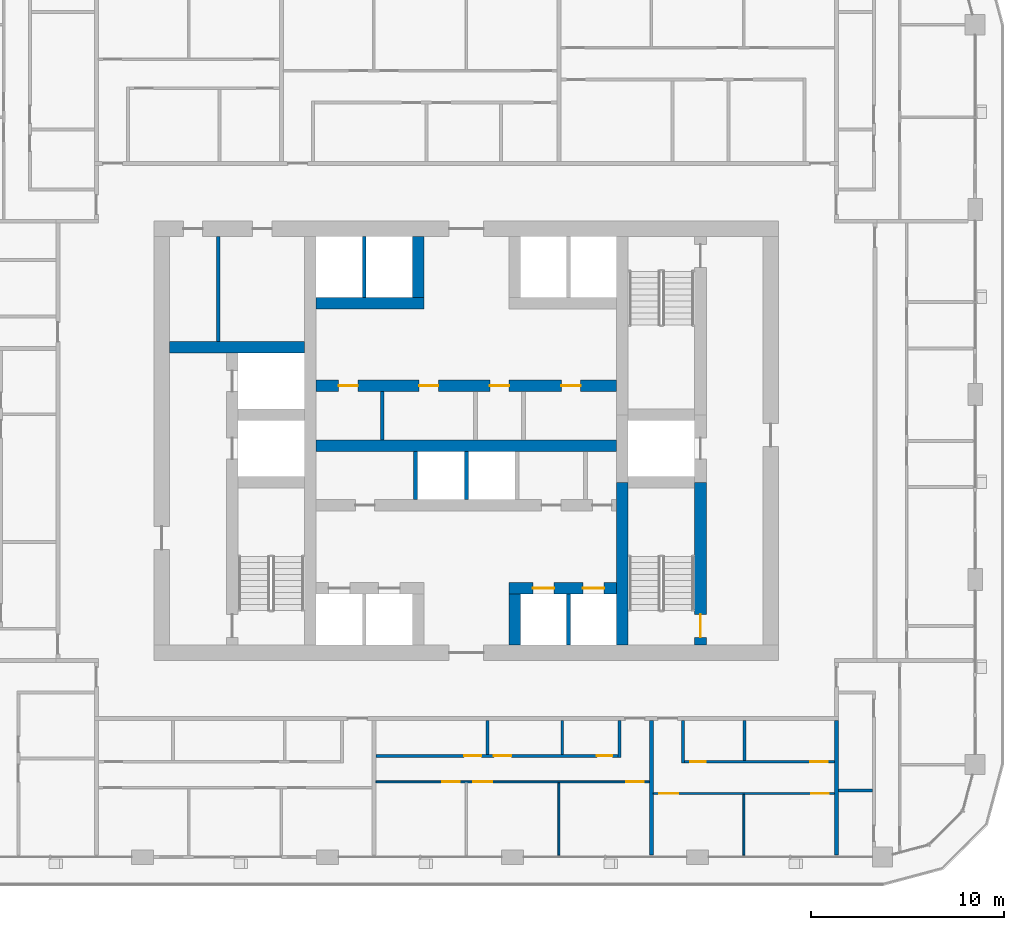
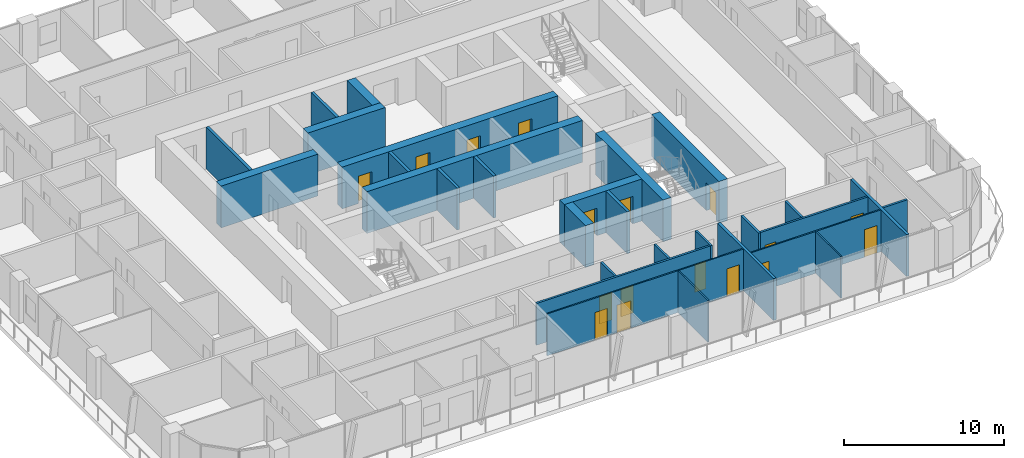
# One storey, part 11 of 22: 29 walls, 17 doors, 17 openings.
"""IFC4 building model written with IfcOpenShell, lengths in metres."""

import ifcopenshell
import ifcopenshell.guid

model = None  # the IFC model being written
_history = None  # IfcOwnerHistory: only IFC2X3 demands one
_inside = {}  # id of a spatial element -> (the spatial element, [elements in it])
_under = {}  # id of a project, library or spatial element -> (it, [spatial elements below it])
_declared = {}  # id of a project -> (the project, [libraries it declares])
_typed = {}  # id of a type object -> (the type object, [elements of that type])
_made_of = {}  # id of a material, layer set ... -> (it, [elements and type objects made of it])


def new_model(schema):
    """Start an empty IFC model of exactly this schema.

    Asked for "IFC4X3", IfcOpenShell would pick the latest addendum, in which some entities
    have other attributes; the version numbers below select the first issue.
    IFC2X3 requires an IfcOwnerHistory on every rooted entity: one is made here for all.
    """
    global model, _history
    if schema == "IFC4X3":
        model = ifcopenshell.file(schema_version=(4, 3, 0, 0))
    else:
        model = ifcopenshell.file(schema=schema)
    _inside.clear()
    _under.clear()
    _declared.clear()
    _typed.clear()
    _made_of.clear()
    _history = None
    if model.schema == "IFC2X3":
        org = make("IfcOrganization", Name="unknown")
        user = make(
            "IfcPersonAndOrganization",
            ThePerson=make("IfcPerson", FamilyName="unknown"),
            TheOrganization=org,
        )
        app = make(
            "IfcApplication",
            ApplicationDeveloper=org,
            Version="unknown",
            ApplicationFullName="unknown",
            ApplicationIdentifier="unknown",
        )
        _history = make(
            "IfcOwnerHistory",
            OwningUser=user,
            OwningApplication=app,
            ChangeAction="ADDED",
            CreationDate=0,
        )
    return model


def make(cls, **values):
    """One entity of the class cls with the attributes given. An attribute that is None is left unset."""
    return model.create_entity(
        cls, **{name: value for name, value in values.items() if value is not None}
    )


def rooted(cls, **values):
    """An entity with a GlobalId (a new one), such as an element, a storey or a relation."""
    return make(cls, GlobalId=ifcopenshell.guid.new(), OwnerHistory=_history, **values)


def si_unit(unit_type, name, prefix=None):
    """IfcSIUnit, for example si_unit("LENGTHUNIT", "METRE", prefix="MILLI")."""
    return make("IfcSIUnit", UnitType=unit_type, Prefix=prefix, Name=name)


def assignment(units):
    """IfcUnitAssignment: the units of a project."""
    return None if units is None else make("IfcUnitAssignment", Units=units)


def point(xyz):
    """IfcCartesianPoint."""
    return None if xyz is None else make("IfcCartesianPoint", Coordinates=xyz)


def direction(xyz):
    """IfcDirection."""
    return None if xyz is None else make("IfcDirection", DirectionRatios=xyz)


def frame(location, z_axis=None, x_axis=None):
    """IfcAxis2Placement3D, a coordinate frame: its origin and axes. An axis left out is left unset."""
    return make(
        "IfcAxis2Placement3D",
        Location=point(location),
        Axis=direction(z_axis),
        RefDirection=direction(x_axis),
    )


def frame_2d(location, x_axis=None):
    """IfcAxis2Placement2D, a coordinate frame in the plane: its origin and x axis."""
    return make(
        "IfcAxis2Placement2D", Location=point(location), RefDirection=direction(x_axis)
    )


def origin():
    """The frame at (0, 0, 0) with its axes left unset."""
    return frame((0.0, 0.0, 0.0))


def place(relative_to, where):
    """IfcLocalPlacement: puts the frame where relative to a parent placement (None: the world)."""
    return make(
        "IfcLocalPlacement", PlacementRelTo=relative_to, RelativePlacement=where
    )


def context(
    kind, dimensions, precision=None, world=None, true_north=None, identifier=None
):
    """IfcGeometricRepresentationContext, for example the 3D "Model" context."""
    return make(
        "IfcGeometricRepresentationContext",
        ContextIdentifier=identifier,
        ContextType=kind,
        CoordinateSpaceDimension=dimensions,
        Precision=precision,
        WorldCoordinateSystem=world,
        TrueNorth=true_north,
    )


def subcontext(parent, identifier, kind, view, scale=None):
    """IfcGeometricRepresentationSubContext, for example "Body" below "Model"."""
    return make(
        "IfcGeometricRepresentationSubContext",
        ContextIdentifier=identifier,
        ContextType=kind,
        ParentContext=parent,
        TargetScale=scale,
        TargetView=view,
    )


def project(units=None, contexts=None):
    """IfcProject with its units and contexts."""
    return rooted(
        "IfcProject",
        Name="project",
        RepresentationContexts=contexts,
        UnitsInContext=assignment(units),
    )


def spatial(cls, under=None, at=None, **own):
    """A site, building, storey or space (cls), placed at a placement, below another one or the project."""
    s = rooted(cls, ObjectPlacement=at, **own)
    if under is not None:
        _under.setdefault(under.id(), (under, []))[1].append(s)
    return s


def profile(cls, at=None, kind="AREA", **sizes):
    """A parametric profile (cls). Its sizes go by their IFC names, for example OverallWidth=200.0."""
    return make(cls, ProfileType=kind, Position=at, **sizes)


def rectangle(**sizes):
    """IfcRectangleProfileDef."""
    return profile("IfcRectangleProfileDef", **sizes)


def extrude(swept, where, along, depth):
    """IfcExtrudedAreaSolid: the profile swept, set in the frame where, extruded along a direction by depth."""
    return make(
        "IfcExtrudedAreaSolid",
        SweptArea=swept,
        Position=where,
        ExtrudedDirection=direction(along),
        Depth=depth,
    )


def shape(context_of_items, identifier, shape_type, items):
    """IfcShapeRepresentation: the items that make up one representation, for example the "Body"."""
    return make(
        "IfcShapeRepresentation",
        ContextOfItems=context_of_items,
        RepresentationIdentifier=identifier,
        RepresentationType=shape_type,
        Items=items,
    )


def material(Name=None, Category=None):
    """IfcMaterial."""
    return make("IfcMaterial", Name=Name, Category=Category)


def layer(
    of_material, thickness, ventilated=None, Name=None, Category=None, Priority=None
):
    """IfcMaterialLayer: one layer of a wall or slab, of a material (None: an air gap)."""
    return make(
        "IfcMaterialLayer",
        Material=of_material,
        LayerThickness=thickness,
        IsVentilated=ventilated,
        Name=Name,
        Category=Category,
        Priority=Priority,
    )


def layer_set(layers, Name=None):
    """IfcMaterialLayerSet."""
    return make("IfcMaterialLayerSet", MaterialLayers=layers, LayerSetName=Name)


def made_of(thing, what):
    """Note that an element or type object is made of a material, layer set ...; save() writes the relation."""
    if what is not None:
        _made_of.setdefault(what.id(), (what, []))[1].append(thing)
    return thing


def type_object(cls, material=None, **own):
    """A type object (cls), such as IfcWallType, which elements share."""
    return made_of(rooted(cls, **own), material)


def element(
    cls,
    number,
    at=None,
    inside=None,
    cuts=None,
    type_object=None,
    material=None,
    context=None,
    identifier="Body",
    shape_type=None,
    held_by="IfcProductDefinitionShape",
    body=None,
    shapes=None,
    **own,
):
    """One element of the class cls, such as IfcWall. Its Tag is "e" and its number.

    at: its placement. inside: the storey or other place that contains it. cuts: it is an
    opening in that element (IfcRelVoidsElement). A single representation is given by context,
    identifier, shape_type and body (its items); several are given by shapes. held_by: the class
    of the entity that holds the representations. save() writes the other relations.
    """
    e = rooted(cls, Tag="e%d" % number, ObjectPlacement=at, **own)
    if body is not None:
        shapes = [shape(context, identifier, shape_type, body)]
    if shapes is not None:
        e.Representation = make(held_by, Representations=shapes)
    if inside is not None:
        _inside.setdefault(inside.id(), (inside, []))[1].append(e)
    if cuts is not None:
        rooted(
            "IfcRelVoidsElement", RelatingBuildingElement=cuts, RelatedOpeningElement=e
        )
    if type_object is not None:
        _typed.setdefault(type_object.id(), (type_object, []))[1].append(e)
    return made_of(e, material)


def fill(opening, filler):
    """IfcRelFillsElement: the door or window that sits in an opening."""
    return rooted(
        "IfcRelFillsElement",
        RelatingOpeningElement=opening,
        RelatedBuildingElement=filler,
    )


def aggregate(whole, parts):
    """IfcRelAggregates: a whole, such as a stair, and the parts it consists of."""
    return rooted("IfcRelAggregates", RelatingObject=whole, RelatedObjects=parts)


def save(model, path):
    """Write the relations noted so far, then the file.

    IfcRelAggregates (storeys below a building ...), IfcRelContainedInSpatialStructure (elements
    in a storey), IfcRelDefinesByType, IfcRelAssociatesMaterial and IfcRelDeclares: one each for
    every whole, place, type object, material and project.
    """
    for whole, parts in _under.values():
        aggregate(whole, parts)
    for where, things in _inside.values():
        rooted(
            "IfcRelContainedInSpatialStructure",
            RelatedElements=things,
            RelatingStructure=where,
        )
    for kind, things in _typed.values():
        rooted("IfcRelDefinesByType", RelatedObjects=things, RelatingType=kind)
    for what, things in _made_of.values():
        rooted("IfcRelAssociatesMaterial", RelatedObjects=things, RelatingMaterial=what)
    for by, libraries in _declared.values():
        rooted("IfcRelDeclares", RelatingContext=by, RelatedDefinitions=libraries)
    model.write(path)


model = new_model("IFC4")

# Units and contexts
model_context = context("Model", 3, precision=1e-05, world=origin(), true_north=direction((0.0, 1.0)))
body_context = subcontext(model_context, "Body", "Model", "MODEL_VIEW")
ifc_project = project(units=[si_unit("LENGTHUNIT", "METRE"), si_unit("AREAUNIT", "SQUARE_METRE"), si_unit("VOLUMEUNIT", "CUBIC_METRE"), si_unit("PLANEANGLEUNIT", "RADIAN"), si_unit("MASSUNIT", "GRAM", prefix="KILO")], contexts=[model_context])

# Site, building, storey
site_placement = place(None, origin())
site = spatial("IfcSite", under=ifc_project, at=site_placement, CompositionType="ELEMENT")
building_placement = place(site_placement, origin())
building = spatial("IfcBuilding", under=site, at=building_placement, Name="Madar Terraces", CompositionType="ELEMENT")
storey_placement = place(building_placement, frame((0.0, 0.0, 136.60009765625)))
storey = spatial("IfcBuildingStorey", under=building, at=storey_placement, Name="L35", CompositionType="ELEMENT", Elevation=136.60009765625)

# Wall
ifc_material_1 = material(Name="Concrete C70/85", Category="concrete")
ifc_layer_1 = layer(ifc_material_1, 0.60009765625)
ifc_layer_set_1 = layer_set([ifc_layer_1], Name="Concrete C70/85 (CIW3 RC wall 600)")
wall_type_1 = type_object("IfcWallType", Name="CIW3 RC wall 600", PredefinedType="SHEAR", material=ifc_layer_set_1)
wall_1_placement = place(storey_placement, frame((39.300048828125, 15.800048828125, 0.0), z_axis=(0.0, 0.0, 1.0), x_axis=(0.0, 1.0, 0.0)))
element("IfcWall", 1, at=wall_1_placement, inside=storey, type_object=wall_type_1, Name="CORE SHAFT WALL", PredefinedType="SHEAR", context=body_context, shape_type="SweptSolid", body=[
    extrude(rectangle(XDim=8.449951171875, YDim=0.60009765625, at=frame_2d((4.22509765625, 0.0))), origin(), (0.0, 0.0, 1.0), 3.199951171875),
])

# Wall, opening, door
wall_2_placement = place(storey_placement, frame((43.35009765625, 15.800048828125, 0.0), z_axis=(0.0, 0.0, 1.0), x_axis=(0.0, 1.0, 0.0)))
wall_2 = element("IfcWall", 2, at=wall_2_placement, inside=storey, type_object=wall_type_1, Name="CORE SHAFT WALL", PredefinedType="SHEAR", context=body_context, shape_type="SweptSolid", body=[
    extrude(rectangle(XDim=8.449951171875, YDim=0.60009765625, at=frame_2d((4.22509765625, 0.0))), origin(), (0.0, 0.0, 1.0), 3.199951171875),
])
opening_1_placement = place(wall_2_placement, frame((0.39990234375, 0.0, 0.0)))
opening_1 = element("IfcOpeningElement", 3, at=opening_1_placement, cuts=wall_2, Name="Opening SD1", PredefinedType="OPENING", context=body_context, shape_type="SweptSolid", body=[
    extrude(rectangle(XDim=1.199951171875, YDim=2.10009765625, at=frame_2d((0.60009765625, 1.050048828125))), frame((0.0, 0.31005859375, 0.0), z_axis=(0.0, -1.0, 0.0), x_axis=(1.0, 0.0, 0.0)), (0.0, 0.0, 1.0), 0.6201171875),
])
ifc_material_2 = material(Name="Steel door leaf", Category="steel")
door_type_1 = type_object("IfcDoorType", Name="Stair door 1200 x 2100", OperationType="NOTDEFINED", PredefinedType="DOOR", material=ifc_material_2)
door_1_placement = place(opening_1_placement, origin())
door_1 = element("IfcDoor", 4, at=door_1_placement, inside=storey, type_object=door_type_1, Name="STAIR DOOR", OperationType="SINGLE_SWING_RIGHT", OverallHeight=2.10009765625, OverallWidth=1.199951171875, PredefinedType="DOOR", context=body_context, shape_type="SweptSolid", body=[
    extrude(rectangle(XDim=1.199951171875, YDim=2.10009765625, at=frame_2d((0.60009765625, 1.050048828125))), frame((0.0, 0.02490234375, 0.0), z_axis=(0.0, -1.0, 0.0), x_axis=(1.0, 0.0, 0.0)), (0.0, 0.0, 1.0), 0.050048828125),
])
fill(opening_1, door_1)

# Wall
wall_3_placement = place(storey_placement, frame((15.800048828125, 31.25, 0.0), z_axis=(0.0, 0.0, 1.0), x_axis=(1.0, 0.0, 0.0)))
element("IfcWall", 5, at=wall_3_placement, inside=storey, type_object=wall_type_1, Name="CORE SHAFT WALL", PredefinedType="SHEAR", context=body_context, shape_type="SweptSolid", body=[
    extrude(rectangle(XDim=7.0, YDim=0.60009765625, at=frame_2d((3.5, 0.0))), origin(), (0.0, 0.0, 1.0), 3.199951171875),
])

# Wall, openings, doors
wall_4_placement = place(storey_placement, frame((33.39990234375, 18.75, 0.0), z_axis=(0.0, 0.0, 1.0), x_axis=(1.0, 0.0, 0.0)))
wall_4 = element("IfcWall", 6, at=wall_4_placement, inside=storey, type_object=wall_type_1, Name="CORE SHAFT WALL", PredefinedType="SHEAR", context=body_context, shape_type="SweptSolid", body=[
    extrude(rectangle(XDim=5.60009765625, YDim=0.60009765625, at=frame_2d((2.800048828125, 0.0))), origin(), (0.0, 0.0, 1.0), 3.199951171875),
])
opening_2_placement = place(wall_4_placement, frame((1.25, 0.0, 0.0)))
opening_2 = element("IfcOpeningElement", 7, at=opening_2_placement, cuts=wall_4, Name="Opening LD", PredefinedType="OPENING", context=body_context, shape_type="SweptSolid", body=[
    extrude(rectangle(XDim=1.10009765625, YDim=2.10009765625, at=frame_2d((0.550048828125, 1.050048828125))), frame((0.0, 0.31005859375, 0.0), z_axis=(0.0, -1.0, 0.0), x_axis=(1.0, 0.0, 0.0)), (0.0, 0.0, 1.0), 0.6201171875),
])
opening_3_placement = place(wall_4_placement, frame((3.85009765625, 0.0, 0.0)))
opening_3 = element("IfcOpeningElement", 8, at=opening_3_placement, cuts=wall_4, Name="Opening LD", PredefinedType="OPENING", context=body_context, shape_type="SweptSolid", body=[
    extrude(rectangle(XDim=1.10009765625, YDim=2.10009765625, at=frame_2d((0.550048828125, 1.050048828125))), frame((0.0, 0.31005859375, 0.0), z_axis=(0.0, -1.0, 0.0), x_axis=(1.0, 0.0, 0.0)), (0.0, 0.0, 1.0), 0.6201171875),
])
ifc_material_3 = material(Name="Stainless steel panel", Category="steel")
door_type_2 = type_object("IfcDoorType", Name="Lift landing door 1100 x 2100", OperationType="DOUBLE_DOOR_SLIDING", PredefinedType="DOOR", material=ifc_material_3)
door_2_placement = place(opening_2_placement, origin())
door_2 = element("IfcDoor", 9, at=door_2_placement, inside=storey, type_object=door_type_2, Name="LIFT LANDING DOOR", OperationType="DOUBLE_DOOR_SLIDING", OverallHeight=2.10009765625, OverallWidth=1.10009765625, PredefinedType="DOOR", context=body_context, shape_type="SweptSolid", body=[
    extrude(rectangle(XDim=1.10009765625, YDim=2.10009765625, at=frame_2d((0.550048828125, 1.050048828125))), frame((0.0, 0.02490234375, 0.0), z_axis=(0.0, -1.0, 0.0), x_axis=(1.0, 0.0, 0.0)), (0.0, 0.0, 1.0), 0.050048828125),
])
fill(opening_2, door_2)
door_3_placement = place(opening_3_placement, origin())
door_3 = element("IfcDoor", 10, at=door_3_placement, inside=storey, type_object=door_type_2, Name="LIFT LANDING DOOR", OperationType="DOUBLE_DOOR_SLIDING", OverallHeight=2.10009765625, OverallWidth=1.10009765625, PredefinedType="DOOR", context=body_context, shape_type="SweptSolid", body=[
    extrude(rectangle(XDim=1.10009765625, YDim=2.10009765625, at=frame_2d((0.550048828125, 1.050048828125))), frame((0.0, 0.02490234375, 0.0), z_axis=(0.0, -1.0, 0.0), x_axis=(1.0, 0.0, 0.0)), (0.0, 0.0, 1.0), 0.050048828125),
])
fill(opening_3, door_3)

# Wall
wall_5_placement = place(storey_placement, frame((23.39990234375, 26.14990234375, 0.0), z_axis=(0.0, 0.0, 1.0), x_axis=(1.0, 0.0, 0.0)))
element("IfcWall", 11, at=wall_5_placement, inside=storey, type_object=wall_type_1, Name="CORE SHAFT WALL", PredefinedType="SHEAR", context=body_context, shape_type="SweptSolid", body=[
    extrude(rectangle(XDim=15.60009765625, YDim=0.60009765625, at=frame_2d((7.800048828125, 0.0))), origin(), (0.0, 0.0, 1.0), 3.199951171875),
])

# Wall, openings, doors
wall_6_placement = place(storey_placement, frame((23.39990234375, 29.25, 0.0), z_axis=(0.0, 0.0, 1.0), x_axis=(1.0, 0.0, 0.0)))
wall_6 = element("IfcWall", 12, at=wall_6_placement, inside=storey, type_object=wall_type_1, Name="CORE SHAFT WALL", PredefinedType="SHEAR", context=body_context, shape_type="SweptSolid", body=[
    extrude(rectangle(XDim=15.60009765625, YDim=0.60009765625, at=frame_2d((7.800048828125, 0.0))), origin(), (0.0, 0.0, 1.0), 3.199951171875),
])
opening_4_placement = place(wall_6_placement, frame((1.166015625, 0.0, 0.0)))
opening_4 = element("IfcOpeningElement", 13, at=opening_4_placement, cuts=wall_6, Name="Opening KD2", PredefinedType="OPENING", context=body_context, shape_type="SweptSolid", body=[
    extrude(rectangle(XDim=1.0, YDim=2.10009765625, at=frame_2d((0.5, 1.050048828125))), frame((0.0, 0.31005859375, 0.0), z_axis=(0.0, -1.0, 0.0), x_axis=(1.0, 0.0, 0.0)), (0.0, 0.0, 1.0), 0.6201171875),
])
opening_5_placement = place(wall_6_placement, frame((5.35009765625, 0.0, 0.0)))
opening_5 = element("IfcOpeningElement", 14, at=opening_5_placement, cuts=wall_6, Name="Opening KD2", PredefinedType="OPENING", context=body_context, shape_type="SweptSolid", body=[
    extrude(rectangle(XDim=1.0, YDim=2.10009765625, at=frame_2d((0.5, 1.050048828125))), frame((0.0, 0.31005859375, 0.0), z_axis=(0.0, -1.0, 0.0), x_axis=(1.0, 0.0, 0.0)), (0.0, 0.0, 1.0), 0.6201171875),
])
opening_6_placement = place(wall_6_placement, frame((9.01611328125, 0.0, 0.0)))
opening_6 = element("IfcOpeningElement", 15, at=opening_6_placement, cuts=wall_6, Name="Opening KD2", PredefinedType="OPENING", context=body_context, shape_type="SweptSolid", body=[
    extrude(rectangle(XDim=1.0, YDim=2.10009765625, at=frame_2d((0.5, 1.050048828125))), frame((0.0, 0.31005859375, 0.0), z_axis=(0.0, -1.0, 0.0), x_axis=(1.0, 0.0, 0.0)), (0.0, 0.0, 1.0), 0.6201171875),
])
opening_7_placement = place(wall_6_placement, frame((12.73193359375, 0.0, 0.0)))
opening_7 = element("IfcOpeningElement", 16, at=opening_7_placement, cuts=wall_6, Name="Opening KD2", PredefinedType="OPENING", context=body_context, shape_type="SweptSolid", body=[
    extrude(rectangle(XDim=1.0, YDim=2.10009765625, at=frame_2d((0.5, 1.050048828125))), frame((0.0, 0.31005859375, 0.0), z_axis=(0.0, -1.0, 0.0), x_axis=(1.0, 0.0, 0.0)), (0.0, 0.0, 1.0), 0.6201171875),
])
ifc_material_4 = material(Name="Steel door leaf", Category="steel")
door_type_3 = type_object("IfcDoorType", Name="Service room door 1000 x 2100", OperationType="NOTDEFINED", PredefinedType="DOOR", material=ifc_material_4)
door_4_placement = place(opening_4_placement, origin())
door_4 = element("IfcDoor", 17, at=door_4_placement, inside=storey, type_object=door_type_3, Name="SERVICE ROOM DOOR", OperationType="SINGLE_SWING_LEFT", OverallHeight=2.10009765625, OverallWidth=1.0, PredefinedType="DOOR", context=body_context, shape_type="SweptSolid", body=[
    extrude(rectangle(XDim=1.0, YDim=2.10009765625, at=frame_2d((0.5, 1.050048828125))), frame((0.0, 0.02490234375, 0.0), z_axis=(0.0, -1.0, 0.0), x_axis=(1.0, 0.0, 0.0)), (0.0, 0.0, 1.0), 0.050048828125),
])
fill(opening_4, door_4)
door_5_placement = place(opening_5_placement, origin())
door_5 = element("IfcDoor", 18, at=door_5_placement, inside=storey, type_object=door_type_3, Name="SERVICE ROOM DOOR", OperationType="SINGLE_SWING_RIGHT", OverallHeight=2.10009765625, OverallWidth=1.0, PredefinedType="DOOR", context=body_context, shape_type="SweptSolid", body=[
    extrude(rectangle(XDim=1.0, YDim=2.10009765625, at=frame_2d((0.5, 1.050048828125))), frame((0.0, 0.02490234375, 0.0), z_axis=(0.0, -1.0, 0.0), x_axis=(1.0, 0.0, 0.0)), (0.0, 0.0, 1.0), 0.050048828125),
])
fill(opening_5, door_5)
door_6_placement = place(opening_6_placement, origin())
door_6 = element("IfcDoor", 19, at=door_6_placement, inside=storey, type_object=door_type_3, Name="SERVICE ROOM DOOR", OperationType="SINGLE_SWING_LEFT", OverallHeight=2.10009765625, OverallWidth=1.0, PredefinedType="DOOR", context=body_context, shape_type="SweptSolid", body=[
    extrude(rectangle(XDim=1.0, YDim=2.10009765625, at=frame_2d((0.5, 1.050048828125))), frame((0.0, 0.02490234375, 0.0), z_axis=(0.0, -1.0, 0.0), x_axis=(1.0, 0.0, 0.0)), (0.0, 0.0, 1.0), 0.050048828125),
])
fill(opening_6, door_6)
door_7_placement = place(opening_7_placement, origin())
door_7 = element("IfcDoor", 20, at=door_7_placement, inside=storey, type_object=door_type_3, Name="SERVICE ROOM DOOR", OperationType="SINGLE_SWING_RIGHT", OverallHeight=2.10009765625, OverallWidth=1.0, PredefinedType="DOOR", context=body_context, shape_type="SweptSolid", body=[
    extrude(rectangle(XDim=1.0, YDim=2.10009765625, at=frame_2d((0.5, 1.050048828125))), frame((0.0, 0.02490234375, 0.0), z_axis=(0.0, -1.0, 0.0), x_axis=(1.0, 0.0, 0.0)), (0.0, 0.0, 1.0), 0.050048828125),
])
fill(opening_7, door_7)

# Walls
wall_7_placement = place(storey_placement, frame((23.39990234375, 33.550048828125, 0.0), z_axis=(0.0, 0.0, 1.0), x_axis=(1.0, 0.0, 0.0)))
element("IfcWall", 21, at=wall_7_placement, inside=storey, type_object=wall_type_1, Name="CORE SHAFT WALL", PredefinedType="SHEAR", context=body_context, shape_type="SweptSolid", body=[
    extrude(rectangle(XDim=5.60009765625, YDim=0.60009765625, at=frame_2d((2.800048828125, 0.0))), origin(), (0.0, 0.0, 1.0), 3.199951171875),
])
wall_8_placement = place(storey_placement, frame((33.699951171875, 15.800048828125, 0.0), z_axis=(0.0, 0.0, 1.0), x_axis=(0.0, 1.0, 0.0)))
element("IfcWall", 22, at=wall_8_placement, inside=storey, type_object=wall_type_1, Name="CORE SHAFT WALL", PredefinedType="SHEAR", context=body_context, shape_type="SweptSolid", body=[
    extrude(rectangle(XDim=2.64990234375, YDim=0.60009765625, at=frame_2d((1.324951171875, 0.0))), origin(), (0.0, 0.0, 1.0), 3.199951171875),
])
wall_9_placement = place(storey_placement, frame((28.699951171875, 33.85009765625, 0.0), z_axis=(0.0, 0.0, 1.0), x_axis=(0.0, 1.0, 0.0)))
element("IfcWall", 23, at=wall_9_placement, inside=storey, type_object=wall_type_1, Name="CORE SHAFT WALL", PredefinedType="SHEAR", context=body_context, shape_type="SweptSolid", body=[
    extrude(rectangle(XDim=3.14990234375, YDim=0.60009765625, at=frame_2d((1.574951171875, 0.0))), origin(), (0.0, 0.0, 1.0), 3.199951171875),
])
ifc_material_5 = material(Name="Masonry blockwork", Category="masonry")
ifc_layer_2 = layer(ifc_material_5, 0.199951171875)
ifc_layer_set_2 = layer_set([ifc_layer_2], Name="Core partition 200 blockwork")
wall_type_2 = type_object("IfcWallType", Name="Core partition 200 blockwork", PredefinedType="PARTITIONING", material=ifc_layer_set_2)
wall_10_placement = place(storey_placement, frame((18.320068359375, 31.550048828125, 0.0), z_axis=(0.0, 0.0, 1.0), x_axis=(0.0, 1.0, 0.0)))
element("IfcWall", 24, at=wall_10_placement, inside=storey, type_object=wall_type_2, Name="SERVICE ROOM PARTITION", PredefinedType="PARTITIONING", context=body_context, shape_type="SweptSolid", body=[
    extrude(rectangle(XDim=5.449951171875, YDim=0.199951171875, at=frame_2d((2.72509765625, 0.0))), origin(), (0.0, 0.0, 1.0), 3.199951171875),
])
wall_11_placement = place(storey_placement, frame((26.83203125, 26.449951171875, 0.0), z_axis=(0.0, 0.0, 1.0), x_axis=(0.0, 1.0, 0.0)))
element("IfcWall", 25, at=wall_11_placement, inside=storey, type_object=wall_type_2, Name="SERVICE ROOM PARTITION", PredefinedType="PARTITIONING", context=body_context, shape_type="SweptSolid", body=[
    extrude(rectangle(XDim=2.5, YDim=0.199951171875, at=frame_2d((1.25, 0.0))), origin(), (0.0, 0.0, 1.0), 3.199951171875),
])
ifc_material_6 = material(Name="Concrete C40/50", Category="concrete")
ifc_layer_3 = layer(ifc_material_6, 0.199951171875)
ifc_layer_set_3 = layer_set([ifc_layer_3], Name="Core shaft dividing wall 200 C40/50")
wall_type_3 = type_object("IfcWallType", Name="Core shaft dividing wall 200 C40/50", PredefinedType="SOLIDWALL", material=ifc_layer_set_3)
for number, where, z_axis, x_axis, name in (
    (26, (28.566650390625, 23.35009765625, 0.0), (0.0, 0.0, 1.0), (0.0, 1.0, 0.0), "SHAFT DIVIDING WALL"),
    (27, (31.199951171875, 23.35009765625, 0.0), (0.0, 0.0, 1.0), (0.0, 1.0, 0.0), "SHAFT DIVIDING WALL"),
):
    element("IfcWall", number, at=place(storey_placement, frame(where, z_axis=z_axis, x_axis=x_axis)), inside=storey, type_object=wall_type_3, Name=name, PredefinedType="SOLIDWALL", context=body_context, shape_type="SweptSolid", body=[
        extrude(rectangle(XDim=2.5, YDim=0.199951171875, at=frame_2d((1.25, 0.0))), origin(), (0.0, 0.0, 1.0), 3.199951171875),
    ])
wall_12_placement = place(storey_placement, frame((25.89990234375, 33.85009765625, 0.0), z_axis=(0.0, 0.0, 1.0), x_axis=(0.0, 1.0, 0.0)))
element("IfcWall", 28, at=wall_12_placement, inside=storey, type_object=wall_type_3, Name="SHAFT DIVIDING WALL", PredefinedType="SOLIDWALL", context=body_context, shape_type="SweptSolid", body=[
    extrude(rectangle(XDim=3.14990234375, YDim=0.199951171875, at=frame_2d((1.574951171875, 0.0))), origin(), (0.0, 0.0, 1.0), 3.199951171875),
])
wall_13_placement = place(storey_placement, frame((36.5, 15.800048828125, 0.0), z_axis=(0.0, 0.0, 1.0), x_axis=(0.0, 1.0, 0.0)))
element("IfcWall", 29, at=wall_13_placement, inside=storey, type_object=wall_type_3, Name="SHAFT DIVIDING WALL", PredefinedType="SOLIDWALL", context=body_context, shape_type="SweptSolid", body=[
    extrude(rectangle(XDim=2.64990234375, YDim=0.199951171875, at=frame_2d((1.324951171875, 0.0))), origin(), (0.0, 0.0, 1.0), 3.199951171875),
])
ifc_material_7 = material(Name="Gypsum board on steel studs", Category="steel")
ifc_layer_4 = layer(ifc_material_7, 0.10009765625)
ifc_layer_set_4 = layer_set([ifc_layer_4], Name="Flat partition 100")
wall_type_4 = type_object("IfcWallType", Name="Flat partition 100", PredefinedType="PARTITIONING", material=ifc_layer_set_4)
wall_14_placement = place(storey_placement, frame((36.0, 8.64990234375, 0.0), z_axis=(0.0, 0.0, 1.0), x_axis=(0.0, -1.0, 0.0)))
element("IfcWall", 30, at=wall_14_placement, inside=storey, type_object=wall_type_4, Name="Flat partition 100", PredefinedType="PARTITIONING", context=body_context, shape_type="SweptSolid", body=[
    extrude(rectangle(XDim=3.75, YDim=0.10009765625, at=frame_2d((1.875, 0.0))), origin(), (0.0, 0.0, 1.0), 3.199951171875),
])

# Wall, openings, doors
wall_15_placement = place(storey_placement, frame((40.699951171875, 8.699951171875, 0.0), z_axis=(0.0, 0.0, 1.0), x_axis=(-1.0, 0.0, 0.0)))
wall_15 = element("IfcWall", 31, at=wall_15_placement, inside=storey, type_object=wall_type_4, Name="Flat partition 100", PredefinedType="PARTITIONING", context=body_context, shape_type="SweptSolid", body=[
    extrude(rectangle(XDim=14.199951171875, YDim=0.10009765625, at=frame_2d((7.10009765625, 0.0))), origin(), (0.0, 0.0, 1.0), 3.199951171875),
])
opening_8_placement = place(wall_15_placement, frame((0.300048828125, 0.0, 0.0)))
opening_8 = element("IfcOpeningElement", 32, at=opening_8_placement, cuts=wall_15, Name="Opening D2", PredefinedType="OPENING", context=body_context, shape_type="SweptSolid", body=[
    extrude(rectangle(XDim=0.89990234375, YDim=2.10009765625, at=frame_2d((0.449951171875, 1.050048828125))), frame((0.0, 0.06005859375, 0.0), z_axis=(0.0, -1.0, 0.0), x_axis=(1.0, 0.0, 0.0)), (0.0, 0.0, 1.0), 0.1201171875),
])
opening_9_placement = place(wall_15_placement, frame((8.14990234375, 0.0, 0.0)))
opening_9 = element("IfcOpeningElement", 33, at=opening_9_placement, cuts=wall_15, Name="Opening D3", PredefinedType="OPENING", context=body_context, shape_type="SweptSolid", body=[
    extrude(rectangle(XDim=1.0, YDim=2.10009765625, at=frame_2d((0.5, 1.050048828125))), frame((0.0, 0.06005859375, 0.0), z_axis=(0.0, -1.0, 0.0), x_axis=(1.0, 0.0, 0.0)), (0.0, 0.0, 1.0), 0.1201171875),
])
opening_10_placement = place(wall_15_placement, frame((9.85009765625, 0.0, 0.0)))
opening_10 = element("IfcOpeningElement", 34, at=opening_10_placement, cuts=wall_15, Name="Opening D2", PredefinedType="OPENING", context=body_context, shape_type="SweptSolid", body=[
    extrude(rectangle(XDim=0.89990234375, YDim=2.10009765625, at=frame_2d((0.449951171875, 1.050048828125))), frame((0.0, 0.06005859375, 0.0), z_axis=(0.0, -1.0, 0.0), x_axis=(1.0, 0.0, 0.0)), (0.0, 0.0, 1.0), 0.1201171875),
])
ifc_material_8 = material(Name="Timber door leaf", Category="wood")
door_type_4 = type_object("IfcDoorType", Name="Flat living room door 1000", OperationType="NOTDEFINED", PredefinedType="DOOR", material=ifc_material_8)
door_8_placement = place(opening_9_placement, origin())
door_8 = element("IfcDoor", 35, at=door_8_placement, inside=storey, type_object=door_type_4, Name="Flat living room door 1000", OperationType="SINGLE_SWING_RIGHT", OverallHeight=2.10009765625, OverallWidth=1.0, PredefinedType="DOOR", context=body_context, shape_type="SweptSolid", body=[
    extrude(rectangle(XDim=1.0, YDim=2.10009765625, at=frame_2d((0.5, 1.050048828125))), frame((0.0, 0.02490234375, 0.0), z_axis=(0.0, -1.0, 0.0), x_axis=(1.0, 0.0, 0.0)), (0.0, 0.0, 1.0), 0.050048828125),
])
fill(opening_9, door_8)
ifc_material_9 = material(Name="Timber door leaf", Category="wood")
door_type_5 = type_object("IfcDoorType", Name="Flat room door 900", OperationType="NOTDEFINED", PredefinedType="DOOR", material=ifc_material_9)
door_9_placement = place(opening_8_placement, origin())
door_9 = element("IfcDoor", 36, at=door_9_placement, inside=storey, type_object=door_type_5, Name="Flat room door 900", OperationType="SINGLE_SWING_LEFT", OverallHeight=2.10009765625, OverallWidth=0.89990234375, PredefinedType="DOOR", context=body_context, shape_type="SweptSolid", body=[
    extrude(rectangle(XDim=0.89990234375, YDim=2.10009765625, at=frame_2d((0.449951171875, 1.050048828125))), frame((0.0, 0.02490234375, 0.0), z_axis=(0.0, -1.0, 0.0), x_axis=(1.0, 0.0, 0.0)), (0.0, 0.0, 1.0), 0.050048828125),
])
fill(opening_8, door_9)
door_10_placement = place(opening_10_placement, origin())
door_10 = element("IfcDoor", 37, at=door_10_placement, inside=storey, type_object=door_type_5, Name="Flat room door 900", OperationType="SINGLE_SWING_LEFT", OverallHeight=2.10009765625, OverallWidth=0.89990234375, PredefinedType="DOOR", context=body_context, shape_type="SweptSolid", body=[
    extrude(rectangle(XDim=0.89990234375, YDim=2.10009765625, at=frame_2d((0.449951171875, 1.050048828125))), frame((0.0, 0.02490234375, 0.0), z_axis=(0.0, -1.0, 0.0), x_axis=(1.0, 0.0, 0.0)), (0.0, 0.0, 1.0), 0.050048828125),
])
fill(opening_10, door_10)

# Wall
wall_16_placement = place(storey_placement, frame((45.60009765625, 8.050048828125, 0.0), z_axis=(0.0, 0.0, 1.0), x_axis=(0.0, -1.0, 0.0)))
element("IfcWall", 38, at=wall_16_placement, inside=storey, type_object=wall_type_4, Name="Flat partition 100", PredefinedType="PARTITIONING", context=body_context, shape_type="SweptSolid", body=[
    extrude(rectangle(XDim=3.150146484375, YDim=0.10009765625, at=frame_2d((1.5751953125, 0.0))), origin(), (0.0, 0.0, 1.0), 3.199951171875),
])

# Wall, openings, doors
wall_17_placement = place(storey_placement, frame((50.300048828125, 8.10009765625, 0.0), z_axis=(0.0, 0.0, 1.0), x_axis=(-1.0, 0.0, 0.0)))
wall_17 = element("IfcWall", 39, at=wall_17_placement, inside=storey, type_object=wall_type_4, Name="Flat partition 100", PredefinedType="PARTITIONING", context=body_context, shape_type="SweptSolid", body=[
    extrude(rectangle(XDim=9.400146484375, YDim=0.10009765625, at=frame_2d((4.7001953125, 0.0))), origin(), (0.0, 0.0, 1.0), 3.199951171875),
])
opening_11_placement = place(wall_17_placement, frame((8.10009765625, 0.0, 0.0)))
opening_11 = element("IfcOpeningElement", 40, at=opening_11_placement, cuts=wall_17, Name="Opening D3", PredefinedType="OPENING", context=body_context, shape_type="SweptSolid", body=[
    extrude(rectangle(XDim=1.0, YDim=2.10009765625, at=frame_2d((0.5, 1.050048828125))), frame((0.0, 0.06005859375, 0.0), z_axis=(0.0, -1.0, 0.0), x_axis=(1.0, 0.0, 0.0)), (0.0, 0.0, 1.0), 0.1201171875),
])
opening_12_placement = place(wall_17_placement, frame((0.300048828125, 0.0, 0.0)))
opening_12 = element("IfcOpeningElement", 41, at=opening_12_placement, cuts=wall_17, Name="Opening D2", PredefinedType="OPENING", context=body_context, shape_type="SweptSolid", body=[
    extrude(rectangle(XDim=0.89990234375, YDim=2.10009765625, at=frame_2d((0.449951171875, 1.050048828125))), frame((0.0, 0.06005859375, 0.0), z_axis=(0.0, -1.0, 0.0), x_axis=(1.0, 0.0, 0.0)), (0.0, 0.0, 1.0), 0.1201171875),
])
door_11_placement = place(opening_11_placement, origin())
door_11 = element("IfcDoor", 42, at=door_11_placement, inside=storey, type_object=door_type_4, Name="Flat living room door 1000", OperationType="SINGLE_SWING_RIGHT", OverallHeight=2.10009765625, OverallWidth=1.0, PredefinedType="DOOR", context=body_context, shape_type="SweptSolid", body=[
    extrude(rectangle(XDim=1.0, YDim=2.10009765625, at=frame_2d((0.5, 1.050048828125))), frame((0.0, 0.02490234375, 0.0), z_axis=(0.0, -1.0, 0.0), x_axis=(1.0, 0.0, 0.0)), (0.0, 0.0, 1.0), 0.050048828125),
])
fill(opening_11, door_11)
door_12_placement = place(opening_12_placement, origin())
door_12 = element("IfcDoor", 43, at=door_12_placement, inside=storey, type_object=door_type_5, Name="Flat room door 900", OperationType="SINGLE_SWING_LEFT", OverallHeight=2.10009765625, OverallWidth=0.89990234375, PredefinedType="DOOR", context=body_context, shape_type="SweptSolid", body=[
    extrude(rectangle(XDim=0.89990234375, YDim=2.10009765625, at=frame_2d((0.449951171875, 1.050048828125))), frame((0.0, 0.02490234375, 0.0), z_axis=(0.0, -1.0, 0.0), x_axis=(1.0, 0.0, 0.0)), (0.0, 0.0, 1.0), 0.050048828125),
])
fill(opening_12, door_12)

# Walls
ifc_material_10 = material(Name="Lightweight blockwork", Category="masonry")
ifc_layer_5 = layer(ifc_material_10, 0.199951171875)
ifc_layer_set_5 = layer_set([ifc_layer_5], Name="Flat party and entrance wall 200")
wall_type_5 = type_object("IfcWallType", Name="Flat party and entrance wall 200", PredefinedType="PARTITIONING", material=ifc_layer_set_5)
for number, where, z_axis, x_axis, name in (
    (44, (40.800048828125, 11.89990234375, 0.0), (0.0, 0.0, 1.0), (0.0, -1.0, 0.0), "Flat party and entrance wall 200"),
    (45, (50.39990234375, 11.89990234375, 0.0), (0.0, 0.0, 1.0), (0.0, -1.0, 0.0), "Flat party and entrance wall 200"),
):
    element("IfcWall", number, at=place(storey_placement, frame(where, z_axis=z_axis, x_axis=x_axis)), inside=storey, type_object=wall_type_5, Name=name, PredefinedType="PARTITIONING", context=body_context, shape_type="SweptSolid", body=[
        extrude(rectangle(XDim=7.0, YDim=0.199951171875, at=frame_2d((3.5, 0.0))), origin(), (0.0, 0.0, 1.0), 3.199951171875),
    ])
ifc_material_11 = material(Name="Lightweight blockwork", Category="masonry")
ifc_layer_6 = layer(ifc_material_11, 0.14990234375)
ifc_layer_set_6 = layer_set([ifc_layer_6], Name="Flat wet-room partition 150")
wall_type_6 = type_object("IfcWallType", Name="Flat wet-room partition 150", PredefinedType="PARTITIONING", material=ifc_layer_set_6)
for number, where, z_axis, x_axis, name in (
    (46, (36.173095703125, 11.89990234375, 0.0), (0.0, 0.0, 1.0), (0.0, -1.0, 0.0), "Flat wet-room partition 150"),
    (47, (32.303955078125, 11.89990234375, 0.0), (0.0, 0.0, 1.0), (0.0, -1.0, 0.0), "Flat wet-room partition 150"),
):
    element("IfcWall", number, at=place(storey_placement, frame(where, z_axis=z_axis, x_axis=x_axis)), inside=storey, type_object=wall_type_6, Name=name, PredefinedType="PARTITIONING", context=body_context, shape_type="SweptSolid", body=[
        extrude(rectangle(XDim=1.77490234375, YDim=0.14990234375, at=frame_2d((0.887451171875, 0.0))), origin(), (0.0, 0.0, 1.0), 3.199951171875),
    ])
wall_18_placement = place(storey_placement, frame((39.14990234375, 11.89990234375, 0.0), z_axis=(0.0, 0.0, 1.0), x_axis=(0.0, -1.0, 0.0)))
element("IfcWall", 48, at=wall_18_placement, inside=storey, type_object=wall_type_6, Name="Flat wet-room partition 150", PredefinedType="PARTITIONING", context=body_context, shape_type="SweptSolid", body=[
    extrude(rectangle(XDim=1.9248046875, YDim=0.14990234375, at=frame_2d((0.96240234375, 0.0))), origin(), (0.0, 0.0, 1.0), 3.199951171875),
])

# Wall, openings, doors
wall_19_placement = place(storey_placement, frame((26.5, 10.050048828125, 0.0), z_axis=(0.0, 0.0, 1.0), x_axis=(1.0, 0.0, 0.0)))
wall_19 = element("IfcWall", 49, at=wall_19_placement, inside=storey, type_object=wall_type_6, Name="Flat wet-room partition 150", PredefinedType="PARTITIONING", context=body_context, shape_type="SweptSolid", body=[
    extrude(rectangle(XDim=12.574951171875, YDim=0.14990234375, at=frame_2d((6.28759765625, 0.0))), origin(), (0.0, 0.0, 1.0), 3.199951171875),
])
opening_13_placement = place(wall_19_placement, frame((11.47509765625, 0.0, 0.0)))
opening_13 = element("IfcOpeningElement", 50, at=opening_13_placement, cuts=wall_19, Name="Opening D4", PredefinedType="OPENING", context=body_context, shape_type="SweptSolid", body=[
    extrude(rectangle(XDim=0.800048828125, YDim=2.10009765625, at=frame_2d((0.39990234375, 1.050048828125))), frame((0.0, 0.0849609375, 0.0), z_axis=(0.0, -1.0, 0.0), x_axis=(1.0, 0.0, 0.0)), (0.0, 0.0, 1.0), 0.169921875),
])
opening_14_placement = place(wall_19_placement, frame((6.12890625, 0.0, 0.0)))
opening_14 = element("IfcOpeningElement", 51, at=opening_14_placement, cuts=wall_19, Name="Opening D5", PredefinedType="OPENING", context=body_context, shape_type="SweptSolid", body=[
    extrude(rectangle(XDim=0.89990234375, YDim=2.10009765625, at=frame_2d((0.449951171875, 1.050048828125))), frame((0.0, 0.0849609375, 0.0), z_axis=(0.0, -1.0, 0.0), x_axis=(1.0, 0.0, 0.0)), (0.0, 0.0, 1.0), 0.169921875),
])
opening_15_placement = place(wall_19_placement, frame((4.578857421875, 0.0, 0.0)))
opening_15 = element("IfcOpeningElement", 52, at=opening_15_placement, cuts=wall_19, Name="Opening D2", PredefinedType="OPENING", context=body_context, shape_type="SweptSolid", body=[
    extrude(rectangle(XDim=0.89990234375, YDim=2.10009765625, at=frame_2d((0.449951171875, 1.050048828125))), frame((0.0, 0.0849609375, 0.0), z_axis=(0.0, -1.0, 0.0), x_axis=(1.0, 0.0, 0.0)), (0.0, 0.0, 1.0), 0.169921875),
])
ifc_material_12 = material(Name="Timber door leaf", Category="wood")
door_type_6 = type_object("IfcDoorType", Name="Flat accessible bathroom door 900", OperationType="NOTDEFINED", PredefinedType="DOOR", material=ifc_material_12)
door_13_placement = place(opening_14_placement, origin())
door_13 = element("IfcDoor", 53, at=door_13_placement, inside=storey, type_object=door_type_6, Name="Flat accessible bathroom door 900", OperationType="SINGLE_SWING_LEFT", OverallHeight=2.10009765625, OverallWidth=0.89990234375, PredefinedType="DOOR", context=body_context, shape_type="SweptSolid", body=[
    extrude(rectangle(XDim=0.89990234375, YDim=2.10009765625, at=frame_2d((0.449951171875, 1.050048828125))), frame((0.0, 0.02490234375, 0.0), z_axis=(0.0, -1.0, 0.0), x_axis=(1.0, 0.0, 0.0)), (0.0, 0.0, 1.0), 0.050048828125),
])
fill(opening_14, door_13)
ifc_material_13 = material(Name="Timber door leaf", Category="wood")
door_type_7 = type_object("IfcDoorType", Name="Flat bathroom door 800", OperationType="NOTDEFINED", PredefinedType="DOOR", material=ifc_material_13)
door_14_placement = place(opening_13_placement, origin())
door_14 = element("IfcDoor", 54, at=door_14_placement, inside=storey, type_object=door_type_7, Name="Flat bathroom door 800", OperationType="SINGLE_SWING_RIGHT", OverallHeight=2.10009765625, OverallWidth=0.800048828125, PredefinedType="DOOR", context=body_context, shape_type="SweptSolid", body=[
    extrude(rectangle(XDim=0.800048828125, YDim=2.10009765625, at=frame_2d((0.39990234375, 1.050048828125))), frame((0.0, 0.02490234375, 0.0), z_axis=(0.0, -1.0, 0.0), x_axis=(1.0, 0.0, 0.0)), (0.0, 0.0, 1.0), 0.050048828125),
])
fill(opening_13, door_14)
door_15_placement = place(opening_15_placement, origin())
door_15 = element("IfcDoor", 55, at=door_15_placement, inside=storey, type_object=door_type_5, Name="Flat room door 900", OperationType="SINGLE_SWING_RIGHT", OverallHeight=2.10009765625, OverallWidth=0.89990234375, PredefinedType="DOOR", context=body_context, shape_type="SweptSolid", body=[
    extrude(rectangle(XDim=0.89990234375, YDim=2.10009765625, at=frame_2d((0.449951171875, 1.050048828125))), frame((0.0, 0.02490234375, 0.0), z_axis=(0.0, -1.0, 0.0), x_axis=(1.0, 0.0, 0.0)), (0.0, 0.0, 1.0), 0.050048828125),
])
fill(opening_15, door_15)

# Walls
wall_20_placement = place(storey_placement, frame((45.635009765625, 11.89990234375, 0.0), z_axis=(0.0, 0.0, 1.0), x_axis=(0.0, -1.0, 0.0)))
element("IfcWall", 56, at=wall_20_placement, inside=storey, type_object=wall_type_6, Name="Flat wet-room partition 150", PredefinedType="PARTITIONING", context=body_context, shape_type="SweptSolid", body=[
    extrude(rectangle(XDim=2.074951171875, YDim=0.14990234375, at=frame_2d((1.03759765625, 0.0))), origin(), (0.0, 0.0, 1.0), 3.199951171875),
])
wall_21_placement = place(storey_placement, frame((42.449951171875, 11.89990234375, 0.0), z_axis=(0.0, 0.0, 1.0), x_axis=(0.0, -1.0, 0.0)))
element("IfcWall", 57, at=wall_21_placement, inside=storey, type_object=wall_type_6, Name="Flat wet-room partition 150", PredefinedType="PARTITIONING", context=body_context, shape_type="SweptSolid", body=[
    extrude(rectangle(XDim=2.224853515625, YDim=0.14990234375, at=frame_2d((1.1123046875, 0.0))), origin(), (0.0, 0.0, 1.0), 3.199951171875),
])

# Wall, openings, doors
wall_22_placement = place(storey_placement, frame((42.52490234375, 9.75, 0.0), z_axis=(0.0, 0.0, 1.0), x_axis=(1.0, 0.0, 0.0)))
wall_22 = element("IfcWall", 58, at=wall_22_placement, inside=storey, type_object=wall_type_6, Name="Flat wet-room partition 150", PredefinedType="PARTITIONING", context=body_context, shape_type="SweptSolid", body=[
    extrude(rectangle(XDim=7.775146484375, YDim=0.14990234375, at=frame_2d((3.8876953125, 0.0))), origin(), (0.0, 0.0, 1.0), 3.199951171875),
])
opening_16_placement = place(wall_22_placement, frame((0.300048828125, 0.0, 0.0)))
opening_16 = element("IfcOpeningElement", 59, at=opening_16_placement, cuts=wall_22, Name="Opening D4", PredefinedType="OPENING", context=body_context, shape_type="SweptSolid", body=[
    extrude(rectangle(XDim=0.800048828125, YDim=2.10009765625, at=frame_2d((0.39990234375, 1.050048828125))), frame((0.0, 0.0849609375, 0.0), z_axis=(0.0, -1.0, 0.0), x_axis=(1.0, 0.0, 0.0)), (0.0, 0.0, 1.0), 0.169921875),
])
opening_17_placement = place(wall_22_placement, frame((6.52490234375, 0.0, 0.0)))
opening_17 = element("IfcOpeningElement", 60, at=opening_17_placement, cuts=wall_22, Name="Opening D2", PredefinedType="OPENING", context=body_context, shape_type="SweptSolid", body=[
    extrude(rectangle(XDim=0.89990234375, YDim=2.10009765625, at=frame_2d((0.449951171875, 1.050048828125))), frame((0.0, 0.0849609375, 0.0), z_axis=(0.0, -1.0, 0.0), x_axis=(1.0, 0.0, 0.0)), (0.0, 0.0, 1.0), 0.169921875),
])
door_16_placement = place(opening_16_placement, origin())
door_16 = element("IfcDoor", 61, at=door_16_placement, inside=storey, type_object=door_type_7, Name="Flat bathroom door 800", OperationType="SINGLE_SWING_LEFT", OverallHeight=2.10009765625, OverallWidth=0.800048828125, PredefinedType="DOOR", context=body_context, shape_type="SweptSolid", body=[
    extrude(rectangle(XDim=0.800048828125, YDim=2.10009765625, at=frame_2d((0.39990234375, 1.050048828125))), frame((0.0, 0.02490234375, 0.0), z_axis=(0.0, -1.0, 0.0), x_axis=(1.0, 0.0, 0.0)), (0.0, 0.0, 1.0), 0.050048828125),
])
fill(opening_16, door_16)
door_17_placement = place(opening_17_placement, origin())
door_17 = element("IfcDoor", 62, at=door_17_placement, inside=storey, type_object=door_type_5, Name="Flat room door 900", OperationType="SINGLE_SWING_RIGHT", OverallHeight=2.10009765625, OverallWidth=0.89990234375, PredefinedType="DOOR", context=body_context, shape_type="SweptSolid", body=[
    extrude(rectangle(XDim=0.89990234375, YDim=2.10009765625, at=frame_2d((0.449951171875, 1.050048828125))), frame((0.0, 0.02490234375, 0.0), z_axis=(0.0, -1.0, 0.0), x_axis=(1.0, 0.0, 0.0)), (0.0, 0.0, 1.0), 0.050048828125),
])
fill(opening_17, door_17)

# Wall
wall_23_placement = place(storey_placement, frame((50.5, 8.25, 0.0), z_axis=(0.0, 0.0, 1.0), x_axis=(1.0, 0.0, 0.0)))
element("IfcWall", 63, at=wall_23_placement, inside=storey, type_object=wall_type_6, Name="Flat wet-room partition 150", PredefinedType="PARTITIONING", context=body_context, shape_type="SweptSolid", body=[
    extrude(rectangle(XDim=1.77490234375, YDim=0.14990234375, at=frame_2d((0.887451171875, 0.0))), origin(), (0.0, 0.0, 1.0), 3.199951171875),
])

save(model, "model.ifc")
